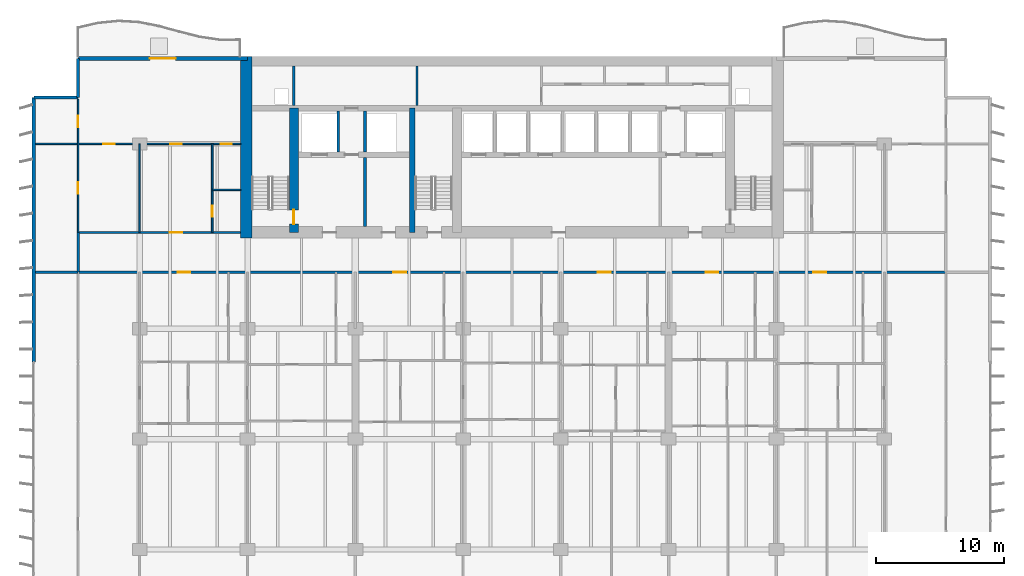
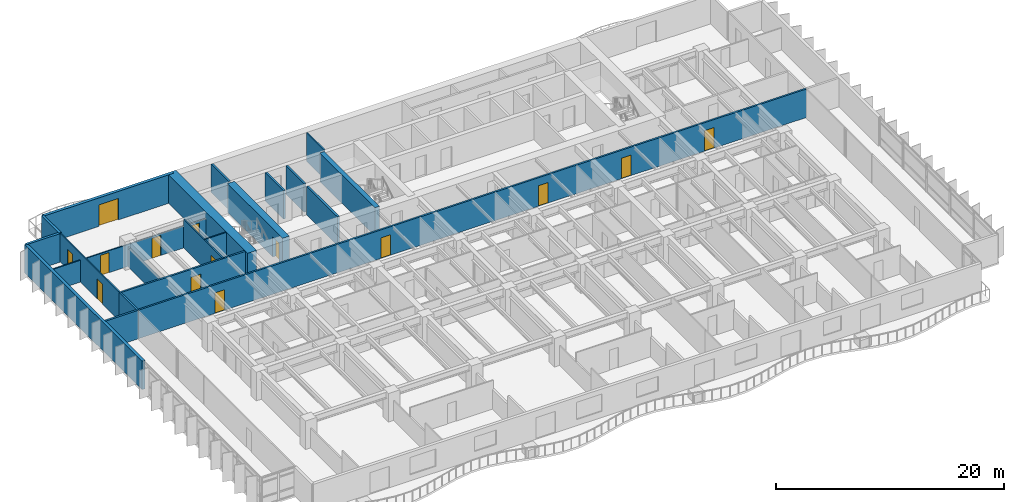
# One storey, part 10 of 18: 21 walls, 14 doors, 14 openings.
"""IFC4 building model written with IfcOpenShell, lengths in metres."""

from ifc_helpers import new_model, si_unit, direction, frame, frame_2d, origin, place, context, subcontext, project, spatial, rectangle, extrude, material, layer, layer_set, type_object, element, fill, save


model = new_model("IFC4")

# Units and contexts
model_context = context("Model", 3, precision=1e-05, world=origin(), true_north=direction((0.0, 1.0)))
body_context = subcontext(model_context, "Body", "Model", "MODEL_VIEW")
ifc_project = project(units=[si_unit("LENGTHUNIT", "METRE"), si_unit("AREAUNIT", "SQUARE_METRE"), si_unit("VOLUMEUNIT", "CUBIC_METRE"), si_unit("PLANEANGLEUNIT", "RADIAN"), si_unit("MASSUNIT", "GRAM", prefix="KILO")], contexts=[model_context])

# Site, building, storey
site_placement = place(None, origin())
site = spatial("IfcSite", under=ifc_project, at=site_placement, CompositionType="ELEMENT")
building_placement = place(site_placement, origin())
building = spatial("IfcBuilding", under=site, at=building_placement, Name="Caelmar Bay Residences", CompositionType="ELEMENT")
storey_placement = place(building_placement, frame((0.0, 0.0, 56.39990234375)))
storey = spatial("IfcBuildingStorey", under=building, at=storey_placement, Name="L14", CompositionType="ELEMENT", Elevation=56.39990234375)

# Wall, opening, door
ifc_material_1 = material(Name="Concrete f'c 55 MPa (8,000 psi)", Category="concrete")
ifc_layer_1 = layer(ifc_material_1, 0.699951171875)
ifc_layer_set_1 = layer_set([ifc_layer_1], Name="Concrete f'c 55 MPa (8,000 psi)")
wall_type_1 = type_object("IfcWallType", Name="SW-COR-700", PredefinedType="SHEAR", material=ifc_layer_set_1)
wall_1_placement = place(storey_placement, frame((21.89990234375, 36.89990234375, 0.0), z_axis=(0.0, 0.0, 1.0), x_axis=(0.0, 1.0, 0.0)))
wall_1 = element("IfcWall", 1, at=wall_1_placement, inside=storey, type_object=wall_type_1, Name="L14 Core Structural Web Wall ST1E", PredefinedType="SHEAR", context=body_context, shape_type="SweptSolid", body=[
    extrude(rectangle(XDim=9.675048828125, YDim=0.699951171875, at=frame_2d((4.83740234375, 0.0))), origin(), (0.0, 0.0, 1.0), 3.050048828125),
])
opening_1_placement = place(wall_1_placement, frame((0.64990234375, 0.0, 0.0)))
opening_1 = element("IfcOpeningElement", 2, at=opening_1_placement, cuts=wall_1, Name="Opening D-L14-108", PredefinedType="OPENING", context=body_context, shape_type="SweptSolid", body=[
    extrude(rectangle(XDim=1.10009765625, YDim=2.14990234375, at=frame_2d((0.550048828125, 1.074951171875))), frame((0.0, 0.35986328125, 0.0), z_axis=(0.0, -1.0, 0.0), x_axis=(1.0, 0.0, 0.0)), (0.0, 0.0, 1.0), 0.719970703125),
])
ifc_material_2 = material(Name="Fire-rated steel and walnut architectural door assembly", Category="steel")
ifc_layer_2 = layer(ifc_material_2, 0.050048828125)
ifc_layer_set_2 = layer_set([ifc_layer_2], Name="Fire-rated steel and walnut architectural door assembly")
door_type_1 = type_object("IfcDoorType", Name="D-STAIR-1100", OperationType="NOTDEFINED", PredefinedType="DOOR", material=ifc_layer_set_2)
door_1_placement = place(opening_1_placement, origin())
door_1 = element("IfcDoor", 3, at=door_1_placement, inside=storey, type_object=door_type_1, Name="L14 Firefighting Lobby West Door", OperationType="SINGLE_SWING_LEFT", OverallHeight=2.14990234375, OverallWidth=1.10009765625, PredefinedType="DOOR", context=body_context, shape_type="SweptSolid", body=[
    extrude(rectangle(XDim=1.10009765625, YDim=2.14990234375, at=frame_2d((0.550048828125, 1.074951171875))), frame((0.0, 0.02490234375, 0.0), z_axis=(0.0, -1.0, 0.0), x_axis=(1.0, 0.0, 0.0)), (0.0, 0.0, 1.0), 0.050048828125),
])
fill(opening_1, door_1)

# Walls
ifc_material_3 = material(Name="Concrete f'c 70 MPa (10,000 psi)", Category="concrete")
ifc_layer_3 = layer(ifc_material_3, 0.89990234375)
ifc_layer_set_3 = layer_set([ifc_layer_3], Name="Concrete f'c 70 MPa (10,000 psi)")
wall_type_2 = type_object("IfcWallType", Name="SW-COR-900", PredefinedType="SHEAR", material=ifc_layer_set_3)
wall_2_placement = place(storey_placement, frame((18.199951171875, 36.449951171875, 0.0), z_axis=(0.0, 0.0, 1.0), x_axis=(0.0, 1.0, 0.0)))
element("IfcWall", 4, at=wall_2_placement, inside=storey, type_object=wall_type_2, Name="L14 Rear Core West Shear Wall", PredefinedType="SHEAR", context=body_context, shape_type="SweptSolid", body=[
    extrude(rectangle(XDim=14.150146484375, YDim=0.89990234375, at=frame_2d((7.0751953125, 0.0))), origin(), (0.0, 0.0, 1.0), 3.050048828125),
])
ifc_layer_4 = layer(ifc_material_3, 0.449951171875)
ifc_layer_set_4 = layer_set([ifc_layer_4], Name="Concrete f'c 70 MPa (10,000 psi)")
wall_type_3 = type_object("IfcWallType", Name="SW-WEB-450", PredefinedType="SHEAR", material=ifc_layer_set_4)
wall_3_placement = place(storey_placement, frame((31.125, 36.89990234375, 0.0), z_axis=(0.0, 0.0, 1.0), x_axis=(0.0, 1.0, 0.0)))
element("IfcWall", 5, at=wall_3_placement, inside=storey, type_object=wall_type_3, Name="L14 Core Structural Web Wall ST3W", PredefinedType="SHEAR", context=body_context, shape_type="SweptSolid", body=[
    extrude(rectangle(XDim=9.675048828125, YDim=0.449951171875, at=frame_2d((4.83740234375, 0.0))), origin(), (0.0, 0.0, 1.0), 3.050048828125),
])
ifc_material_4 = material(Name="Double-stud acoustic fire-rated gypsum partition 180 mm")
ifc_layer_5 = layer(ifc_material_4, 0.179931640625)
ifc_layer_set_5 = layer_set([ifc_layer_5], Name="Double-stud acoustic fire-rated gypsum partition 180 mm")
wall_type_4 = type_object("IfcWallType", Name="W-COR-200", PredefinedType="PARTITIONING", material=ifc_layer_set_5)
wall_4_placement = place(storey_placement, frame((5.10009765625, 33.804931640625, 0.0), z_axis=(0.0, 0.0, 1.0), x_axis=(0.0, 1.0, 0.0)))
element("IfcWall", 6, at=wall_4_placement, inside=storey, type_object=wall_type_4, Name="L14 Partition Wall V005", PredefinedType="PARTITIONING", context=body_context, shape_type="SweptSolid", body=[
    extrude(rectangle(XDim=3.094970703125, YDim=0.179931640625, at=frame_2d((1.54736328125, 0.0))), origin(), (0.0, 0.0, 1.0), 3.050048828125),
])

# Wall, openings, doors
wall_5_placement = place(storey_placement, frame((5.10498046875, 33.800048828125, 0.0), z_axis=(0.0, 0.0, 1.0), x_axis=(1.0, 0.0, 0.0)))
wall_5 = element("IfcWall", 7, at=wall_5_placement, inside=storey, type_object=wall_type_4, Name="L14 Partition Wall H120", PredefinedType="PARTITIONING", context=body_context, shape_type="SweptSolid", body=[
    extrude(rectangle(XDim=67.594970703125, YDim=0.179931640625, at=frame_2d((33.79736328125, 0.0))), origin(), (0.0, 0.0, 1.0), 3.050048828125),
])
opening_2_placement = place(wall_5_placement, frame((7.7451171875, 0.0, 0.0)))
opening_2 = element("IfcOpeningElement", 8, at=opening_2_placement, cuts=wall_5, Name="Opening D-L14-121", PredefinedType="OPENING", context=body_context, shape_type="SweptSolid", body=[
    extrude(rectangle(XDim=1.0, YDim=2.199951171875, at=frame_2d((0.5, 1.10009765625))), frame((0.0, 0.099853515625, 0.0), z_axis=(0.0, -1.0, 0.0), x_axis=(1.0, 0.0, 0.0)), (0.0, 0.0, 1.0), 0.199951171875),
])
opening_3_placement = place(wall_5_placement, frame((24.544921875, 0.0, 0.0)))
opening_3 = element("IfcOpeningElement", 9, at=opening_3_placement, cuts=wall_5, Name="Opening D-L14-132", PredefinedType="OPENING", context=body_context, shape_type="SweptSolid", body=[
    extrude(rectangle(XDim=1.0, YDim=2.199951171875, at=frame_2d((0.5, 1.10009765625))), frame((0.0, 0.099853515625, 0.0), z_axis=(0.0, -1.0, 0.0), x_axis=(1.0, 0.0, 0.0)), (0.0, 0.0, 1.0), 0.199951171875),
])
opening_4_placement = place(wall_5_placement, frame((40.469970703125, 0.0, 0.0)))
opening_4 = element("IfcOpeningElement", 10, at=opening_4_placement, cuts=wall_5, Name="Opening D-L14-142", PredefinedType="OPENING", context=body_context, shape_type="SweptSolid", body=[
    extrude(rectangle(XDim=1.0, YDim=2.199951171875, at=frame_2d((0.5, 1.10009765625))), frame((0.0, 0.099853515625, 0.0), z_axis=(0.0, -1.0, 0.0), x_axis=(1.0, 0.0, 0.0)), (0.0, 0.0, 1.0), 0.199951171875),
])
opening_5_placement = place(wall_5_placement, frame((48.8701171875, 0.0, 0.0)))
opening_5 = element("IfcOpeningElement", 11, at=opening_5_placement, cuts=wall_5, Name="Opening D-L14-149", PredefinedType="OPENING", context=body_context, shape_type="SweptSolid", body=[
    extrude(rectangle(XDim=1.0, YDim=2.199951171875, at=frame_2d((0.5, 1.10009765625))), frame((0.0, 0.099853515625, 0.0), z_axis=(0.0, -1.0, 0.0), x_axis=(1.0, 0.0, 0.0)), (0.0, 0.0, 1.0), 0.199951171875),
])
opening_6_placement = place(wall_5_placement, frame((57.27001953125, 0.0, 0.0)))
opening_6 = element("IfcOpeningElement", 12, at=opening_6_placement, cuts=wall_5, Name="Opening D-L14-156", PredefinedType="OPENING", context=body_context, shape_type="SweptSolid", body=[
    extrude(rectangle(XDim=1.0, YDim=2.199951171875, at=frame_2d((0.5, 1.10009765625))), frame((0.0, 0.099853515625, 0.0), z_axis=(0.0, -1.0, 0.0), x_axis=(1.0, 0.0, 0.0)), (0.0, 0.0, 1.0), 0.199951171875),
])
ifc_layer_6 = layer(ifc_material_2, 0.050048828125)
ifc_layer_set_6 = layer_set([ifc_layer_6], Name="Fire-rated steel and walnut architectural door assembly")
door_type_2 = type_object("IfcDoorType", Name="D-UNIT-1000", OperationType="NOTDEFINED", PredefinedType="DOOR", material=ifc_layer_set_6)
door_2_placement = place(opening_2_placement, origin())
door_2 = element("IfcDoor", 13, at=door_2_placement, inside=storey, type_object=door_type_2, Name="L14 Residence 01 Apartment Hall Door", OperationType="SINGLE_SWING_RIGHT", OverallHeight=2.199951171875, OverallWidth=1.0, PredefinedType="DOOR", context=body_context, shape_type="SweptSolid", body=[
    extrude(rectangle(XDim=1.0, YDim=2.199951171875, at=frame_2d((0.5, 1.10009765625))), frame((0.0, 0.02490234375, 0.0), z_axis=(0.0, -1.0, 0.0), x_axis=(1.0, 0.0, 0.0)), (0.0, 0.0, 1.0), 0.050048828125),
])
fill(opening_2, door_2)
door_3_placement = place(opening_3_placement, origin())
door_3 = element("IfcDoor", 14, at=door_3_placement, inside=storey, type_object=door_type_2, Name="L14 Residence 02 Apartment Hall Door", OperationType="SINGLE_SWING_LEFT", OverallHeight=2.199951171875, OverallWidth=1.0, PredefinedType="DOOR", context=body_context, shape_type="SweptSolid", body=[
    extrude(rectangle(XDim=1.0, YDim=2.199951171875, at=frame_2d((0.5, 1.10009765625))), frame((0.0, 0.02490234375, 0.0), z_axis=(0.0, -1.0, 0.0), x_axis=(1.0, 0.0, 0.0)), (0.0, 0.0, 1.0), 0.050048828125),
])
fill(opening_3, door_3)
door_4_placement = place(opening_4_placement, origin())
door_4 = element("IfcDoor", 15, at=door_4_placement, inside=storey, type_object=door_type_2, Name="L14 Residence 03 Apartment Hall Door", OperationType="SINGLE_SWING_LEFT", OverallHeight=2.199951171875, OverallWidth=1.0, PredefinedType="DOOR", context=body_context, shape_type="SweptSolid", body=[
    extrude(rectangle(XDim=1.0, YDim=2.199951171875, at=frame_2d((0.5, 1.10009765625))), frame((0.0, 0.02490234375, 0.0), z_axis=(0.0, -1.0, 0.0), x_axis=(1.0, 0.0, 0.0)), (0.0, 0.0, 1.0), 0.050048828125),
])
fill(opening_4, door_4)
door_5_placement = place(opening_5_placement, origin())
door_5 = element("IfcDoor", 16, at=door_5_placement, inside=storey, type_object=door_type_2, Name="L14 Residence 04 Apartment Hall Door", OperationType="SINGLE_SWING_RIGHT", OverallHeight=2.199951171875, OverallWidth=1.0, PredefinedType="DOOR", context=body_context, shape_type="SweptSolid", body=[
    extrude(rectangle(XDim=1.0, YDim=2.199951171875, at=frame_2d((0.5, 1.10009765625))), frame((0.0, 0.02490234375, 0.0), z_axis=(0.0, -1.0, 0.0), x_axis=(1.0, 0.0, 0.0)), (0.0, 0.0, 1.0), 0.050048828125),
])
fill(opening_5, door_5)
door_6_placement = place(opening_6_placement, origin())
door_6 = element("IfcDoor", 17, at=door_6_placement, inside=storey, type_object=door_type_2, Name="L14 Residence 05 Apartment Hall Door", OperationType="SINGLE_SWING_LEFT", OverallHeight=2.199951171875, OverallWidth=1.0, PredefinedType="DOOR", context=body_context, shape_type="SweptSolid", body=[
    extrude(rectangle(XDim=1.0, YDim=2.199951171875, at=frame_2d((0.5, 1.10009765625))), frame((0.0, 0.02490234375, 0.0), z_axis=(0.0, -1.0, 0.0), x_axis=(1.0, 0.0, 0.0)), (0.0, 0.0, 1.0), 0.050048828125),
])
fill(opening_6, door_6)

# Wall, opening, door
wall_6_placement = place(storey_placement, frame((5.10009765625, 36.89990234375, 0.0), z_axis=(0.0, 0.0, 1.0), x_axis=(1.0, 0.0, 0.0)))
wall_6 = element("IfcWall", 18, at=wall_6_placement, inside=storey, type_object=wall_type_4, Name="L14 Partition Wall H122", PredefinedType="PARTITIONING", context=body_context, shape_type="SweptSolid", body=[
    extrude(rectangle(XDim=12.64501953125, YDim=0.179931640625, at=frame_2d((6.322509765625, 0.0))), origin(), (0.0, 0.0, 1.0), 3.050048828125),
])
opening_7_placement = place(wall_6_placement, frame((7.125, 0.0, 0.0)))
opening_7 = element("IfcOpeningElement", 19, at=opening_7_placement, cuts=wall_6, Name="Opening D-L14-167", PredefinedType="OPENING", context=body_context, shape_type="SweptSolid", body=[
    extrude(rectangle(XDim=1.0, YDim=2.199951171875, at=frame_2d((0.5, 1.10009765625))), frame((0.0, 0.099853515625, 0.0), z_axis=(0.0, -1.0, 0.0), x_axis=(1.0, 0.0, 0.0)), (0.0, 0.0, 1.0), 0.199951171875),
])
door_7_placement = place(opening_7_placement, origin())
door_7 = element("IfcDoor", 20, at=door_7_placement, inside=storey, type_object=door_type_2, Name="L14 Residence WA Kitchen Door", OperationType="SINGLE_SWING_RIGHT", OverallHeight=2.199951171875, OverallWidth=1.0, PredefinedType="DOOR", context=body_context, shape_type="SweptSolid", body=[
    extrude(rectangle(XDim=1.0, YDim=2.199951171875, at=frame_2d((0.5, 1.10009765625))), frame((0.0, 0.02490234375, 0.0), z_axis=(0.0, -1.0, 0.0), x_axis=(1.0, 0.0, 0.0)), (0.0, 0.0, 1.0), 0.050048828125),
])
fill(opening_7, door_7)

# Walls
ifc_material_5 = material(Name="Precast concrete f'c 40 MPa (6,000 psi)", Category="concrete")
ifc_layer_7 = layer(ifc_material_5, 0.25)
ifc_layer_set_7 = layer_set([ifc_layer_7], Name="Precast concrete f'c 40 MPa (6,000 psi)")
wall_type_5 = type_object("IfcWallType", Name="W-EXT-250", PredefinedType="ELEMENTEDWALL", material=ifc_layer_set_7)
wall_7_placement = place(storey_placement, frame((1.64990234375, 47.39990234375, 0.0), z_axis=(0.0, 0.0, 1.0), x_axis=(1.0, 0.0, 0.0)))
element("IfcWall", 21, at=wall_7_placement, inside=storey, type_object=wall_type_5, Name="L14 NNW-H Notch Wall", PredefinedType="ELEMENTEDWALL", context=body_context, shape_type="SweptSolid", body=[
    extrude(rectangle(XDim=3.4501953125, YDim=0.25, at=frame_2d((1.72509765625, 0.0))), origin(), (0.0, 0.0, 1.0), 3.050048828125),
])
wall_8_placement = place(storey_placement, frame((5.10009765625, 47.39990234375, 0.0), z_axis=(0.0, 0.0, 1.0), x_axis=(0.0, 1.0, 0.0)))
element("IfcWall", 22, at=wall_8_placement, inside=storey, type_object=wall_type_5, Name="L14 NNW-V Notch Wall", PredefinedType="ELEMENTEDWALL", context=body_context, shape_type="SweptSolid", body=[
    extrude(rectangle(XDim=3.050048828125, YDim=0.25, at=frame_2d((1.52490234375, 0.0))), origin(), (0.0, 0.0, 1.0), 3.050048828125),
])
ifc_layer_8 = layer(ifc_material_5, 0.300048828125)
ifc_layer_set_8 = layer_set([ifc_layer_8], Name="Precast concrete f'c 40 MPa (6,000 psi)")
wall_type_6 = type_object("IfcWallType", Name="W-EXT-300", PredefinedType="STANDARD", material=ifc_layer_set_8)
wall_9_placement = place(storey_placement, frame((1.64990234375, 26.800048828125, 0.0), z_axis=(0.0, 0.0, 1.0), x_axis=(0.0, 1.0, 0.0)))
element("IfcWall", 23, at=wall_9_placement, inside=storey, type_object=wall_type_6, Name="L14 West Rear Exterior Wall", PredefinedType="STANDARD", context=body_context, shape_type="SweptSolid", body=[
    extrude(rectangle(XDim=20.599853515625, YDim=0.300048828125, at=frame_2d((10.2998046875, 0.0))), origin(), (0.0, 0.0, 1.0), 3.050048828125),
])

# Wall, opening, door
wall_10_placement = place(storey_placement, frame((5.10009765625, 50.449951171875, 0.0), z_axis=(0.0, 0.0, 1.0), x_axis=(1.0, 0.0, 0.0)))
wall_10 = element("IfcWall", 24, at=wall_10_placement, inside=storey, type_object=wall_type_6, Name="L14 North-West Wing Exterior Wall", PredefinedType="STANDARD", context=body_context, shape_type="SweptSolid", body=[
    extrude(rectangle(XDim=13.199951171875, YDim=0.300048828125, at=frame_2d((6.60009765625, 0.0))), origin(), (0.0, 0.0, 1.0), 3.050048828125),
])
opening_8_placement = place(wall_10_placement, frame((5.60009765625, 0.0, 0.0)))
opening_8 = element("IfcOpeningElement", 25, at=opening_8_placement, cuts=wall_10, Name="Opening L14-BDNW", PredefinedType="OPENING", context=body_context, shape_type="SweptSolid", body=[
    extrude(rectangle(XDim=2.0, YDim=2.300048828125, at=frame_2d((1.0, 1.14990234375))), frame((0.0, 0.159912109375, 0.0), z_axis=(0.0, -1.0, 0.0), x_axis=(1.0, 0.0, 0.0)), (0.0, 0.0, 1.0), 0.320068359375),
])
ifc_material_6 = material(Name="Anodised bronze thermally broken sliding glass door", Category="glass")
ifc_layer_9 = layer(ifc_material_6, 0.050048828125)
ifc_layer_set_9 = layer_set([ifc_layer_9], Name="Anodised bronze thermally broken sliding glass door")
door_type_3 = type_object("IfcDoorType", Name="D-BAL-2000", OperationType="DOUBLE_DOOR_SLIDING", PredefinedType="DOOR", material=ifc_layer_set_9)
door_8_placement = place(opening_8_placement, origin())
door_8 = element("IfcDoor", 26, at=door_8_placement, inside=storey, type_object=door_type_3, Name="L14 North-West Balcony Door", OperationType="DOUBLE_DOOR_SLIDING", OverallHeight=2.300048828125, OverallWidth=2.0, PredefinedType="DOOR", context=body_context, shape_type="SweptSolid", body=[
    extrude(rectangle(XDim=2.0, YDim=2.300048828125, at=frame_2d((1.0, 1.14990234375))), frame((0.0, 0.02490234375, 0.0), z_axis=(0.0, -1.0, 0.0), x_axis=(1.0, 0.0, 0.0)), (0.0, 0.0, 1.0), 0.050048828125),
])
fill(opening_8, door_8)

# Walls
ifc_material_7 = material(Name="Fire-rated masonry and gypsum shaftliner assembly 200 mm", Category="masonry")
ifc_layer_10 = layer(ifc_material_7, 0.199951171875)
ifc_layer_set_10 = layer_set([ifc_layer_10], Name="Fire-rated masonry and gypsum shaftliner assembly 200 mm")
wall_type_7 = type_object("IfcWallType", Name="W-FSAE-200", PredefinedType="PARTITIONING", material=ifc_layer_set_10)
wall_11_placement = place(storey_placement, frame((21.89990234375, 46.794921875, 0.0), z_axis=(0.0, 0.0, 1.0), x_axis=(0.0, 1.0, 0.0)))
element("IfcWall", 27, at=wall_11_placement, inside=storey, type_object=wall_type_7, Name="L14 Partition Wall V024", PredefinedType="PARTITIONING", context=body_context, shape_type="SweptSolid", body=[
    extrude(rectangle(XDim=3.06005859375, YDim=0.199951171875, at=frame_2d((1.530029296875, 0.0))), origin(), (0.0, 0.0, 1.0), 3.050048828125),
])
wall_12_placement = place(storey_placement, frame((25.35009765625, 43.169921875, 0.0), z_axis=(0.0, 0.0, 1.0), x_axis=(0.0, 1.0, 0.0)))
element("IfcWall", 28, at=wall_12_placement, inside=storey, type_object=wall_type_7, Name="L14 Partition Wall V027", PredefinedType="PARTITIONING", context=body_context, shape_type="SweptSolid", body=[
    extrude(rectangle(XDim=3.18505859375, YDim=0.199951171875, at=frame_2d((1.592529296875, 0.0))), origin(), (0.0, 0.0, 1.0), 3.050048828125),
])
wall_13_placement = place(storey_placement, frame((27.449951171875, 37.344970703125, 0.0), z_axis=(0.0, 0.0, 1.0), x_axis=(0.0, 1.0, 0.0)))
element("IfcWall", 29, at=wall_13_placement, inside=storey, type_object=wall_type_7, Name="L14 Partition Wall V031", PredefinedType="PARTITIONING", context=body_context, shape_type="SweptSolid", body=[
    extrude(rectangle(XDim=5.385009765625, YDim=0.199951171875, at=frame_2d((2.6923828125, 0.0))), origin(), (0.0, 0.0, 1.0), 3.050048828125),
])
wall_14_placement = place(storey_placement, frame((27.449951171875, 43.169921875, 0.0), z_axis=(0.0, 0.0, 1.0), x_axis=(0.0, 1.0, 0.0)))
element("IfcWall", 30, at=wall_14_placement, inside=storey, type_object=wall_type_7, Name="L14 Partition Wall V032", PredefinedType="PARTITIONING", context=body_context, shape_type="SweptSolid", body=[
    extrude(rectangle(XDim=3.18505859375, YDim=0.199951171875, at=frame_2d((1.592529296875, 0.0))), origin(), (0.0, 0.0, 1.0), 3.050048828125),
])

# Wall, openings, doors
ifc_material_8 = material(Name="Acoustic metal-stud gypsum partition 120 mm")
ifc_layer_11 = layer(ifc_material_8, 0.1201171875)
ifc_layer_set_11 = layer_set([ifc_layer_11], Name="Acoustic metal-stud gypsum partition 120 mm")
wall_type_8 = type_object("IfcWallType", Name="W-PRT-120", PredefinedType="PARTITIONING", material=ifc_layer_set_11)
wall_15_placement = place(storey_placement, frame((5.10009765625, 36.905029296875, 0.0), z_axis=(0.0, 0.0, 1.0), x_axis=(0.0, 1.0, 0.0)))
wall_15 = element("IfcWall", 31, at=wall_15_placement, inside=storey, type_object=wall_type_8, Name="L14 Partition Wall V006", PredefinedType="PARTITIONING", context=body_context, shape_type="SweptSolid", body=[
    extrude(rectangle(XDim=10.375, YDim=0.1201171875, at=frame_2d((5.1875, 0.0))), origin(), (0.0, 0.0, 1.0), 3.050048828125),
])
opening_9_placement = place(wall_15_placement, frame((2.99755859375, 0.0, 0.0)))
opening_9 = element("IfcOpeningElement", 32, at=opening_9_placement, cuts=wall_15, Name="Opening D-L14-171", PredefinedType="OPENING", context=body_context, shape_type="SweptSolid", body=[
    extrude(rectangle(XDim=0.89990234375, YDim=2.14990234375, at=frame_2d((0.449951171875, 1.074951171875))), frame((0.0, 0.070068359375, 0.0), z_axis=(0.0, -1.0, 0.0), x_axis=(1.0, 0.0, 0.0)), (0.0, 0.0, 1.0), 0.14013671875),
])
opening_10_placement = place(wall_15_placement, frame((8.18505859375, 0.0, 0.0)))
opening_10 = element("IfcOpeningElement", 33, at=opening_10_placement, cuts=wall_15, Name="Opening D-L14-172", PredefinedType="OPENING", context=body_context, shape_type="SweptSolid", body=[
    extrude(rectangle(XDim=0.89990234375, YDim=2.14990234375, at=frame_2d((0.449951171875, 1.074951171875))), frame((0.0, 0.070068359375, 0.0), z_axis=(0.0, -1.0, 0.0), x_axis=(1.0, 0.0, 0.0)), (0.0, 0.0, 1.0), 0.14013671875),
])
ifc_material_9 = material(Name="Solid walnut timber interior door leaf and frame", Category="wood")
ifc_layer_12 = layer(ifc_material_9, 0.050048828125)
ifc_layer_set_12 = layer_set([ifc_layer_12], Name="Solid walnut timber interior door leaf and frame")
door_type_4 = type_object("IfcDoorType", Name="D-ROOM-900", OperationType="NOTDEFINED", PredefinedType="DOOR", material=ifc_layer_set_12)
door_9_placement = place(opening_9_placement, origin())
door_9 = element("IfcDoor", 34, at=door_9_placement, inside=storey, type_object=door_type_4, Name="L14 Residence WA Sun Study Door", OperationType="SINGLE_SWING_RIGHT", OverallHeight=2.14990234375, OverallWidth=0.89990234375, PredefinedType="DOOR", context=body_context, shape_type="SweptSolid", body=[
    extrude(rectangle(XDim=0.89990234375, YDim=2.14990234375, at=frame_2d((0.449951171875, 1.074951171875))), frame((0.0, 0.02490234375, 0.0), z_axis=(0.0, -1.0, 0.0), x_axis=(1.0, 0.0, 0.0)), (0.0, 0.0, 1.0), 0.050048828125),
])
fill(opening_9, door_9)
door_10_placement = place(opening_10_placement, origin())
door_10 = element("IfcDoor", 35, at=door_10_placement, inside=storey, type_object=door_type_4, Name="L14 Residence WA North Sitting Alcove Door", OperationType="SINGLE_SWING_LEFT", OverallHeight=2.14990234375, OverallWidth=0.89990234375, PredefinedType="DOOR", context=body_context, shape_type="SweptSolid", body=[
    extrude(rectangle(XDim=0.89990234375, YDim=2.14990234375, at=frame_2d((0.449951171875, 1.074951171875))), frame((0.0, 0.02490234375, 0.0), z_axis=(0.0, -1.0, 0.0), x_axis=(1.0, 0.0, 0.0)), (0.0, 0.0, 1.0), 0.050048828125),
])
fill(opening_10, door_10)

# Wall
wall_16_placement = place(storey_placement, frame((9.89990234375, 36.89990234375, 0.0), z_axis=(0.0, 0.0, 1.0), x_axis=(0.0, 1.0, 0.0)))
element("IfcWall", 36, at=wall_16_placement, inside=storey, type_object=wall_type_8, Name="L14 Partition Wall V012", PredefinedType="PARTITIONING", context=body_context, shape_type="SweptSolid", body=[
    extrude(rectangle(XDim=6.900146484375, YDim=0.1201171875, at=frame_2d((3.4501953125, 0.0))), origin(), (0.0, 0.0, 1.0), 2.110107421875),
])

# Wall, opening, door
wall_17_placement = place(storey_placement, frame((15.550048828125, 36.89990234375, 0.0), z_axis=(0.0, 0.0, 1.0), x_axis=(0.0, 1.0, 0.0)))
wall_17 = element("IfcWall", 37, at=wall_17_placement, inside=storey, type_object=wall_type_8, Name="L14 Partition Wall V016", PredefinedType="PARTITIONING", context=body_context, shape_type="SweptSolid", body=[
    extrude(rectangle(XDim=6.900146484375, YDim=0.1201171875, at=frame_2d((3.4501953125, 0.0))), origin(), (0.0, 0.0, 1.0), 3.050048828125),
])
opening_11_placement = place(wall_17_placement, frame((1.23095703125, 0.0, 0.0)))
opening_11 = element("IfcOpeningElement", 38, at=opening_11_placement, cuts=wall_17, Name="Opening D-L14-169", PredefinedType="OPENING", context=body_context, shape_type="SweptSolid", body=[
    extrude(rectangle(XDim=0.85009765625, YDim=2.10009765625, at=frame_2d((0.425048828125, 1.050048828125))), frame((0.0, 0.070068359375, 0.0), z_axis=(0.0, -1.0, 0.0), x_axis=(1.0, 0.0, 0.0)), (0.0, 0.0, 1.0), 0.14013671875),
])
ifc_layer_13 = layer(ifc_material_9, 0.050048828125)
ifc_layer_set_13 = layer_set([ifc_layer_13], Name="Solid walnut timber interior door leaf and frame")
door_type_5 = type_object("IfcDoorType", Name="D-BATH-850", OperationType="NOTDEFINED", PredefinedType="DOOR", material=ifc_layer_set_13)
door_11_placement = place(opening_11_placement, origin())
door_11 = element("IfcDoor", 39, at=door_11_placement, inside=storey, type_object=door_type_5, Name="L14 Residence WA Walk-In Closet Door", OperationType="SINGLE_SWING_RIGHT", OverallHeight=2.10009765625, OverallWidth=0.85009765625, PredefinedType="DOOR", context=body_context, shape_type="SweptSolid", body=[
    extrude(rectangle(XDim=0.85009765625, YDim=2.10009765625, at=frame_2d((0.425048828125, 1.050048828125))), frame((0.0, 0.02490234375, 0.0), z_axis=(0.0, -1.0, 0.0), x_axis=(1.0, 0.0, 0.0)), (0.0, 0.0, 1.0), 0.050048828125),
])
fill(opening_11, door_11)

# Walls
wall_18_placement = place(storey_placement, frame((31.5, 46.794921875, 0.0), z_axis=(0.0, 0.0, 1.0), x_axis=(0.0, 1.0, 0.0)))
element("IfcWall", 40, at=wall_18_placement, inside=storey, type_object=wall_type_8, Name="L14 Partition Wall V035", PredefinedType="PARTITIONING", context=body_context, shape_type="SweptSolid", body=[
    extrude(rectangle(XDim=3.06005859375, YDim=0.1201171875, at=frame_2d((1.530029296875, 0.0))), origin(), (0.0, 0.0, 1.0), 3.050048828125),
])
wall_19_placement = place(storey_placement, frame((15.550048828125, 40.2119140625, 0.0), z_axis=(0.0, 0.0, 1.0), x_axis=(1.0, 0.0, 0.0)))
element("IfcWall", 41, at=wall_19_placement, inside=storey, type_object=wall_type_8, Name="L14 Partition Wall H124", PredefinedType="PARTITIONING", context=body_context, shape_type="SweptSolid", body=[
    extrude(rectangle(XDim=2.204833984375, YDim=0.1201171875, at=frame_2d((1.1025390625, 0.0))), origin(), (0.0, 0.0, 1.0), 3.050048828125),
])

# Wall, openings, doors
wall_20_placement = place(storey_placement, frame((1.794921875, 43.800048828125, 0.0), z_axis=(0.0, 0.0, 1.0), x_axis=(1.0, 0.0, 0.0)))
wall_20 = element("IfcWall", 42, at=wall_20_placement, inside=storey, type_object=wall_type_8, Name="L14 Partition Wall H126", PredefinedType="PARTITIONING", context=body_context, shape_type="SweptSolid", body=[
    extrude(rectangle(XDim=15.9599609375, YDim=0.1201171875, at=frame_2d((7.97998046875, 0.0))), origin(), (0.0, 0.0, 1.0), 2.339111328125),
])
opening_12_placement = place(wall_20_placement, frame((5.2548828125, 0.0, 0.0)))
opening_12 = element("IfcOpeningElement", 43, at=opening_12_placement, cuts=wall_20, Name="Opening D-L14-166", PredefinedType="OPENING", context=body_context, shape_type="SweptSolid", body=[
    extrude(rectangle(XDim=0.89990234375, YDim=2.14990234375, at=frame_2d((0.449951171875, 1.074951171875))), frame((0.0, 0.070068359375, 0.0), z_axis=(0.0, -1.0, 0.0), x_axis=(1.0, 0.0, 0.0)), (0.0, 0.0, 1.0), 0.14013671875),
])
opening_13_placement = place(wall_20_placement, frame((10.47998046875, 0.0, 0.0)))
opening_13 = element("IfcOpeningElement", 44, at=opening_13_placement, cuts=wall_20, Name="Opening D-L14-168", PredefinedType="OPENING", context=body_context, shape_type="SweptSolid", body=[
    extrude(rectangle(XDim=0.89990234375, YDim=2.14990234375, at=frame_2d((0.449951171875, 1.074951171875))), frame((0.0, 0.070068359375, 0.0), z_axis=(0.0, -1.0, 0.0), x_axis=(1.0, 0.0, 0.0)), (0.0, 0.0, 1.0), 0.14013671875),
])
opening_14_placement = place(wall_20_placement, frame((14.4326171875, 0.0, 0.0)))
opening_14 = element("IfcOpeningElement", 45, at=opening_14_placement, cuts=wall_20, Name="Opening D-L14-170", PredefinedType="OPENING", context=body_context, shape_type="SweptSolid", body=[
    extrude(rectangle(XDim=0.85009765625, YDim=2.10009765625, at=frame_2d((0.425048828125, 1.050048828125))), frame((0.0, 0.070068359375, 0.0), z_axis=(0.0, -1.0, 0.0), x_axis=(1.0, 0.0, 0.0)), (0.0, 0.0, 1.0), 0.14013671875),
])
door_12_placement = place(opening_14_placement, origin())
door_12 = element("IfcDoor", 46, at=door_12_placement, inside=storey, type_object=door_type_5, Name="L14 Residence WA Bathroom Door", OperationType="SINGLE_SWING_LEFT", OverallHeight=2.10009765625, OverallWidth=0.85009765625, PredefinedType="DOOR", context=body_context, shape_type="SweptSolid", body=[
    extrude(rectangle(XDim=0.85009765625, YDim=2.10009765625, at=frame_2d((0.425048828125, 1.050048828125))), frame((0.0, 0.02490234375, 0.0), z_axis=(0.0, -1.0, 0.0), x_axis=(1.0, 0.0, 0.0)), (0.0, 0.0, 1.0), 0.050048828125),
])
fill(opening_14, door_12)
door_13_placement = place(opening_12_placement, origin())
door_13 = element("IfcDoor", 47, at=door_13_placement, inside=storey, type_object=door_type_4, Name="L14 Residence WA Study Door", OperationType="SINGLE_SWING_LEFT", OverallHeight=2.14990234375, OverallWidth=0.89990234375, PredefinedType="DOOR", context=body_context, shape_type="SweptSolid", body=[
    extrude(rectangle(XDim=0.89990234375, YDim=2.14990234375, at=frame_2d((0.449951171875, 1.074951171875))), frame((0.0, 0.02490234375, 0.0), z_axis=(0.0, -1.0, 0.0), x_axis=(1.0, 0.0, 0.0)), (0.0, 0.0, 1.0), 0.050048828125),
])
fill(opening_12, door_13)
door_14_placement = place(opening_13_placement, origin())
door_14 = element("IfcDoor", 48, at=door_14_placement, inside=storey, type_object=door_type_4, Name="L14 Residence WA Studio Living and Sleeping Room Door", OperationType="SINGLE_SWING_LEFT", OverallHeight=2.14990234375, OverallWidth=0.89990234375, PredefinedType="DOOR", context=body_context, shape_type="SweptSolid", body=[
    extrude(rectangle(XDim=0.89990234375, YDim=2.14990234375, at=frame_2d((0.449951171875, 1.074951171875))), frame((0.0, 0.02490234375, 0.0), z_axis=(0.0, -1.0, 0.0), x_axis=(1.0, 0.0, 0.0)), (0.0, 0.0, 1.0), 0.050048828125),
])
fill(opening_13, door_14)

# Wall
ifc_material_10 = material(Name="Acoustic twin-stud fire-rated inter-tenancy partition 200 mm")
ifc_layer_14 = layer(ifc_material_10, 0.199951171875)
ifc_layer_set_14 = layer_set([ifc_layer_14], Name="Acoustic twin-stud fire-rated inter-tenancy partition 200 mm")
wall_type_9 = type_object("IfcWallType", Name="W-PTY-200", PredefinedType="PARTITIONING", material=ifc_layer_set_14)
wall_21_placement = place(storey_placement, frame((1.794921875, 33.800048828125, 0.0), z_axis=(0.0, 0.0, 1.0), x_axis=(1.0, 0.0, 0.0)))
element("IfcWall", 49, at=wall_21_placement, inside=storey, type_object=wall_type_9, Name="L14 Partition Wall H119", PredefinedType="PARTITIONING", context=body_context, shape_type="SweptSolid", body=[
    extrude(rectangle(XDim=3.30517578125, YDim=0.199951171875, at=frame_2d((1.652587890625, 0.0))), origin(), (0.0, 0.0, 1.0), 3.050048828125),
])

save(model, "model.ifc")
